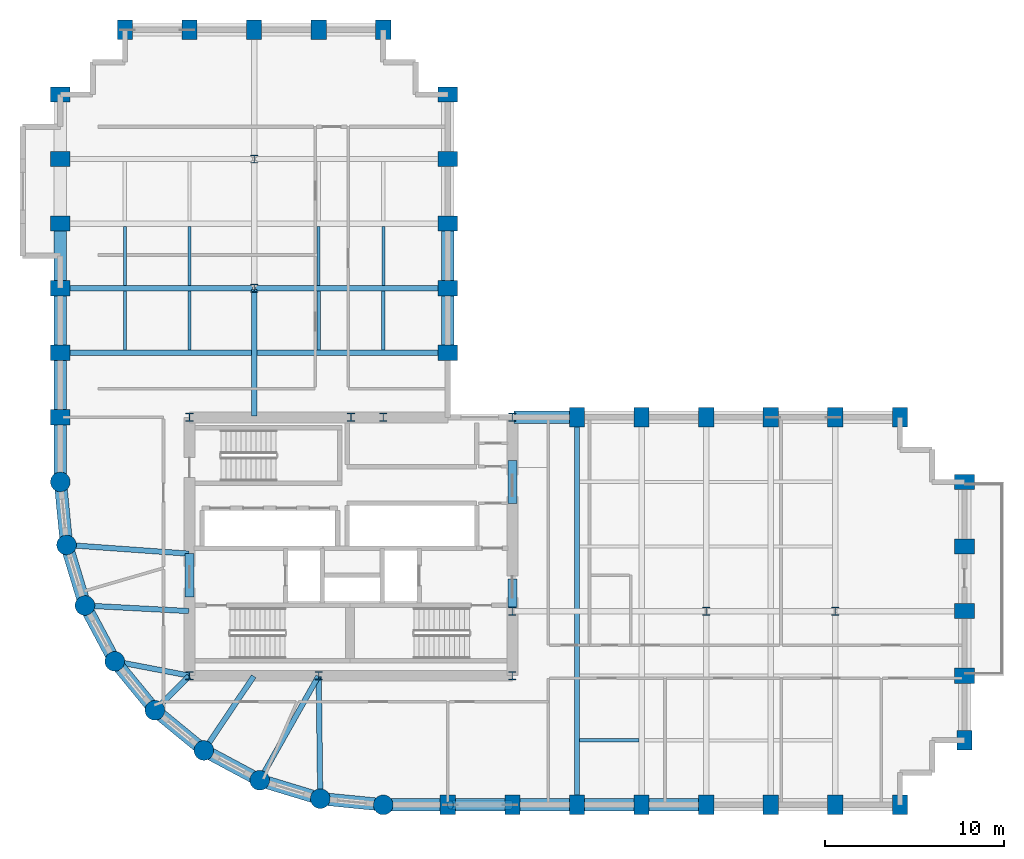
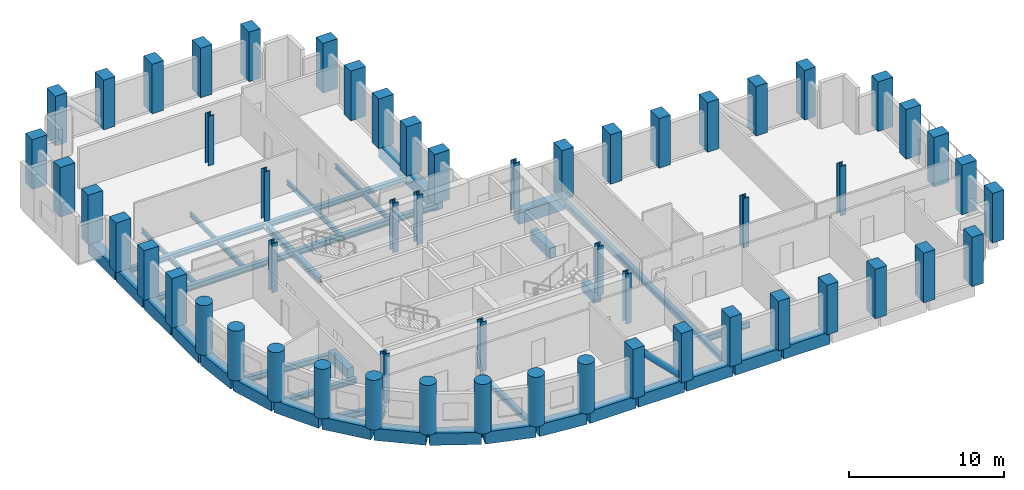
# One storey, part 1 of 8: 56 columns, 44 beams, 1 member.
"""IFC4 building model written with IfcOpenShell, lengths in metres."""

from ifc_helpers import new_model, si_unit, direction, frame, origin, origin_2d, place, context, subcontext, project, spatial, rectangle, circle, hollow_circle, i_section, extrude, material, material_profile, profile_set, type_object, element, save


model = new_model("IFC4")

# Units and contexts
model_context = context("Model", 3, precision=1e-05, world=origin(), true_north=direction((0.0, 1.0)))
body_context = subcontext(model_context, "Body", "Model", "MODEL_VIEW")
ifc_project = project(units=[si_unit("LENGTHUNIT", "METRE"), si_unit("AREAUNIT", "SQUARE_METRE"), si_unit("VOLUMEUNIT", "CUBIC_METRE"), si_unit("PLANEANGLEUNIT", "RADIAN"), si_unit("MASSUNIT", "GRAM", prefix="KILO")], contexts=[model_context])

# Site, building, storey
site_placement = place(None, origin())
site = spatial("IfcSite", under=ifc_project, at=site_placement, CompositionType="ELEMENT")
building_placement = place(site_placement, origin())
building = spatial("IfcBuilding", under=site, at=building_placement, Name="Solnavia Interchange Tower", CompositionType="ELEMENT")
storey_placement = place(building_placement, frame((0.0, 0.0, 84.0)))
storey = spatial("IfcBuildingStorey", under=building, at=storey_placement, Name="L20", CompositionType="ELEMENT", Elevation=84.0)

# Columns
ifc_material_1 = material(Name="Concrete C50/60", Category="concrete")
ifc_material_profile_1 = material_profile(ifc_material_1, rectangle(XDim=0.85009765625, YDim=1.10009765625, at=origin_2d()), Name="RC 1100x850")
ifc_profile_set_1 = profile_set([ifc_material_profile_1], Name="Concrete C50/60")
column_type_1 = type_object("IfcColumnType", Name="Col-RC-1100x850", PredefinedType="COLUMN", material=ifc_profile_set_1)
for number, where, z_axis, x_axis, name in (
    (1, (7.199951171875, 25.199951171875, 0.0), (0.0, 0.0, 1.0), (0.0, 1.0, 0.0), "COL-L20-02 Tower perim y column"),
    (2, (7.199951171875, 28.800048828125, 0.0), (0.0, 0.0, 1.0), (0.0, 1.0, 0.0), "COL-L20-03 Tower perim y column"),
    (3, (7.199951171875, 32.39990234375, 0.0), (0.0, 0.0, 1.0), (0.0, 1.0, 0.0), "COL-L20-04 Tower perim y column"),
    (4, (7.199951171875, 36.0, 0.0), (0.0, 0.0, 1.0), (0.0, 1.0, 0.0), "COL-L20-05 Tower perim y column"),
    (5, (7.199951171875, 39.60009765625, 0.0), (0.0, 0.0, 1.0), (0.0, 1.0, 0.0), "COL-L20-06 Tower perim y column"),
    (6, (7.199951171875, 43.199951171875, 0.0), (0.0, 0.0, 1.0), (0.0, 1.0, 0.0), "COL-L20-07 Tower corner column"),
    (7, (10.800048828125, 46.800048828125, 0.0), (0.0, 0.0, 1.0), (1.0, 0.0, 0.0), "COL-L20-11 Tower corner column"),
    (8, (14.39990234375, 46.800048828125, 0.0), (0.0, 0.0, 1.0), (1.0, 0.0, 0.0), "COL-L20-15 Tower perim x column"),
    (9, (18.0, 46.800048828125, 0.0), (0.0, 0.0, 1.0), (1.0, 0.0, 0.0), "COL-L20-19 Tower perim x column"),
    (10, (21.60009765625, 46.800048828125, 0.0), (0.0, 0.0, 1.0), (1.0, 0.0, 0.0), "COL-L20-22 Tower perim x column"),
    (11, (25.199951171875, 46.800048828125, 0.0), (0.0, 0.0, 1.0), (1.0, 0.0, 0.0), "COL-L20-27 Tower corner column"),
    (12, (28.800048828125, 3.60009765625, 0.0), (0.0, 0.0, 1.0), (1.0, 0.0, 0.0), "COL-L20-28 Tower perim x column"),
    (13, (28.800048828125, 28.800048828125, 0.0), (0.0, 0.0, 1.0), (0.0, 1.0, 0.0), "COL-L20-29 Tower perim y column"),
    (14, (28.800048828125, 32.39990234375, 0.0), (0.0, 0.0, 1.0), (0.0, 1.0, 0.0), "COL-L20-30 Tower perim y column"),
    (15, (28.800048828125, 36.0, 0.0), (0.0, 0.0, 1.0), (0.0, 1.0, 0.0), "COL-L20-31 Tower perim y column"),
    (16, (28.800048828125, 39.60009765625, 0.0), (0.0, 0.0, 1.0), (0.0, 1.0, 0.0), "COL-L20-32 Tower perim y column"),
    (17, (28.800048828125, 43.199951171875, 0.0), (0.0, 0.0, 1.0), (0.0, 1.0, 0.0), "COL-L20-33 Tower corner column"),
    (18, (32.39990234375, 3.60009765625, 0.0), (0.0, 0.0, 1.0), (1.0, 0.0, 0.0), "COL-L20-34 Tower perim x column"),
    (19, (36.0, 3.60009765625, 0.0), (0.0, 0.0, 1.0), (1.0, 0.0, 0.0), "COL-L20-38 Tower perim x column"),
    (20, (36.0, 25.199951171875, 0.0), (0.0, 0.0, 1.0), (1.0, 0.0, 0.0), "COL-L20-39 Tower perim x column"),
    (21, (39.60009765625, 3.60009765625, 0.0), (0.0, 0.0, 1.0), (1.0, 0.0, 0.0), "COL-L20-40 Tower perim x column"),
    (22, (39.60009765625, 25.199951171875, 0.0), (0.0, 0.0, 1.0), (1.0, 0.0, 0.0), "COL-L20-41 Tower perim x column"),
    (23, (43.199951171875, 3.60009765625, 0.0), (0.0, 0.0, 1.0), (1.0, 0.0, 0.0), "COL-L20-42 Tower perim x column"),
    (24, (43.199951171875, 25.199951171875, 0.0), (0.0, 0.0, 1.0), (1.0, 0.0, 0.0), "COL-L20-44 Tower perim x column"),
    (25, (46.800048828125, 3.60009765625, 0.0), (0.0, 0.0, 1.0), (1.0, 0.0, 0.0), "COL-L20-45 Tower perim x column"),
    (26, (46.800048828125, 25.199951171875, 0.0), (0.0, 0.0, 1.0), (1.0, 0.0, 0.0), "COL-L20-46 Tower perim x column"),
    (27, (50.39990234375, 3.60009765625, 0.0), (0.0, 0.0, 1.0), (1.0, 0.0, 0.0), "COL-L20-47 Tower perim x column"),
    (28, (50.39990234375, 25.199951171875, 0.0), (0.0, 0.0, 1.0), (1.0, 0.0, 0.0), "COL-L20-49 Tower perim x column"),
    (29, (54.0, 3.60009765625, 0.0), (0.0, 0.0, 1.0), (1.0, 0.0, 0.0), "COL-L20-50 Tower corner column"),
    (30, (54.0, 25.199951171875, 0.0), (0.0, 0.0, 1.0), (1.0, 0.0, 0.0), "COL-L20-51 Tower corner column"),
    (31, (57.60009765625, 7.199951171875, 0.0), (0.0, 0.0, 1.0), (1.0, 0.0, 0.0), "COL-L20-52 Tower corner column"),
    (32, (57.60009765625, 10.800048828125, 0.0), (0.0, 0.0, 1.0), (0.0, 1.0, 0.0), "COL-L20-53 Tower perim y column"),
    (33, (57.60009765625, 14.39990234375, 0.0), (0.0, 0.0, 1.0), (0.0, 1.0, 0.0), "COL-L20-54 Tower perim y column"),
    (34, (57.60009765625, 18.0, 0.0), (0.0, 0.0, 1.0), (0.0, 1.0, 0.0), "COL-L20-55 Tower perim y column"),
    (35, (57.60009765625, 21.60009765625, 0.0), (0.0, 0.0, 1.0), (0.0, 1.0, 0.0), "COL-L20-56 Tower corner column"),
):
    element("IfcColumn", number, at=place(storey_placement, frame(where, z_axis=z_axis, x_axis=x_axis)), inside=storey, type_object=column_type_1, Name=name, PredefinedType="COLUMN", context=body_context, shape_type="SweptSolid", body=[
        extrude(rectangle(XDim=0.85009765625, YDim=1.10009765625, at=origin_2d()), origin(), (0.0, 0.0, 1.0), 3.89990234375),
    ])
ifc_material_2 = material(Name="Concrete C60/75", Category="concrete")
ifc_material_profile_2 = material_profile(ifc_material_2, circle(Radius=0.550048828125, at=origin_2d()), Name="RC D1100")
ifc_profile_set_2 = profile_set([ifc_material_profile_2], Name="Concrete C60/75")
column_type_2 = type_object("IfcColumnType", Name="Col-RC-D1100", PredefinedType="COLUMN", material=ifc_profile_set_2)
for number, where, z_axis, x_axis, name in (
    (36, (7.199951171875, 21.60009765625, 0.0), (0.0, 0.0, 1.0), (1.0, 0.0, 0.0), "COL-L20-01 Tower drum column"),
    (37, (7.5458984375, 18.087890625, 0.0), (0.0, 0.0, 1.0), (1.0, 0.0, 0.0), "COL-L20-08 Tower drum column"),
    (38, (8.570068359375, 14.7119140625, 0.0), (0.0, 0.0, 1.0), (1.0, 0.0, 0.0), "COL-L20-09 Tower drum column"),
    (39, (10.23388671875, 11.60009765625, 0.0), (0.0, 0.0, 1.0), (1.0, 0.0, 0.0), "COL-L20-10 Tower drum column"),
    (40, (12.471923828125, 8.8720703125, 0.0), (0.0, 0.0, 1.0), (1.0, 0.0, 0.0), "COL-L20-12 Tower drum column"),
    (41, (15.199951171875, 6.634033203125, 0.0), (0.0, 0.0, 1.0), (1.0, 0.0, 0.0), "COL-L20-16 Tower drum column"),
    (42, (18.31201171875, 4.969970703125, 0.0), (0.0, 0.0, 1.0), (1.0, 0.0, 0.0), "COL-L20-20 Tower drum column"),
    (43, (21.68798828125, 3.946044921875, 0.0), (0.0, 0.0, 1.0), (1.0, 0.0, 0.0), "COL-L20-23 Tower drum column"),
    (44, (25.199951171875, 3.60009765625, 0.0), (0.0, 0.0, 1.0), (1.0, 0.0, 0.0), "COL-L20-25 Tower drum column"),
):
    element("IfcColumn", number, at=place(storey_placement, frame(where, z_axis=z_axis, x_axis=x_axis)), inside=storey, type_object=column_type_2, Name=name, PredefinedType="COLUMN", context=body_context, shape_type="SweptSolid", body=[
        extrude(circle(Radius=0.550048828125, at=origin_2d()), origin(), (0.0, 0.0, 1.0), 3.89990234375),
    ])
ifc_material_3 = material(Name="Steel S355", Category="steel")
ifc_material_profile_3 = material_profile(ifc_material_3, i_section(OverallWidth=0.424072265625, OverallDepth=0.467041015625, WebThickness=0.032958984375, FlangeThickness=0.053466796875, FilletRadius=0.014892578125, at=origin_2d()), Name="HD 400x509")
ifc_profile_set_3 = profile_set([ifc_material_profile_3], Name="Steel S355")
column_type_3 = type_object("IfcColumnType", Name="Col-Steel-HD400x509", PredefinedType="COLUMN", material=ifc_profile_set_3)
for number, where, z_axis, x_axis, name in (
    (45, (14.39990234375, 10.800048828125, 0.0), (0.0, 0.0, 1.0), (1.0, 0.0, 0.0), "COL-L20-13 Tower interior column"),
    (46, (14.39990234375, 25.199951171875, 0.0), (0.0, 0.0, 1.0), (1.0, 0.0, 0.0), "COL-L20-14 Tower interior column"),
    (47, (18.0, 32.39990234375, 0.0), (0.0, 0.0, 1.0), (1.0, 0.0, 0.0), "COL-L20-17 Tower interior column"),
    (48, (18.0, 39.60009765625, 0.0), (0.0, 0.0, 1.0), (1.0, 0.0, 0.0), "COL-L20-18 Tower interior column"),
    (49, (21.60009765625, 10.800048828125, 0.0), (0.0, 0.0, 1.0), (1.0, 0.0, 0.0), "COL-L20-21 Tower interior column"),
    (50, (23.39990234375, 25.199951171875, 0.0), (0.0, 0.0, 1.0), (1.0, 0.0, 0.0), "COL-L20-24 Tower interior column"),
    (51, (25.199951171875, 25.199951171875, 0.0), (0.0, 0.0, 1.0), (1.0, 0.0, 0.0), "COL-L20-26 Tower interior column"),
    (52, (32.39990234375, 10.800048828125, 0.0), (0.0, 0.0, 1.0), (1.0, 0.0, 0.0), "COL-L20-35 Tower interior column"),
    (53, (32.39990234375, 14.39990234375, 0.0), (0.0, 0.0, 1.0), (1.0, 0.0, 0.0), "COL-L20-36 Tower interior column"),
    (54, (32.39990234375, 25.199951171875, 0.0), (0.0, 0.0, 1.0), (1.0, 0.0, 0.0), "COL-L20-37 Tower interior column"),
    (55, (43.199951171875, 14.39990234375, 0.0), (0.0, 0.0, 1.0), (1.0, 0.0, 0.0), "COL-L20-43 Tower interior column"),
    (56, (50.39990234375, 14.39990234375, 0.0), (0.0, 0.0, 1.0), (1.0, 0.0, 0.0), "COL-L20-48 Tower interior column"),
):
    element("IfcColumn", number, at=place(storey_placement, frame(where, z_axis=z_axis, x_axis=x_axis)), inside=storey, type_object=column_type_3, Name=name, PredefinedType="COLUMN", context=body_context, shape_type="SweptSolid", body=[
        extrude(i_section(OverallWidth=0.424072265625, OverallDepth=0.467041015625, WebThickness=0.032958984375, FlangeThickness=0.053466796875, FilletRadius=0.014892578125, at=origin_2d()), origin(), (0.0, 0.0, 1.0), 3.89990234375),
    ])

# Beams
ifc_material_profile_4 = material_profile(ifc_material_1, rectangle(XDim=0.5, YDim=0.800048828125, at=origin_2d()), Name="RC 500x800")
ifc_profile_set_4 = profile_set([ifc_material_profile_4], Name="Concrete C50/60")
beam_type_1 = type_object("IfcBeamType", Name="Beam-Coupling-RC500x800", PredefinedType="LINTEL", material=ifc_profile_set_4)
beam_1_placement = place(storey_placement, frame((14.39990234375, 15.199951171875, -0.39990234375), z_axis=(0.0, 1.0, 0.0), x_axis=(-1.0, 0.0, 0.0)))
element("IfcBeam", 57, at=beam_1_placement, inside=storey, type_object=beam_type_1, Name="CPB-L20-W1 Core coupling lintel beam", PredefinedType="LINTEL", context=body_context, shape_type="SweptSolid", body=[
    extrude(rectangle(XDim=0.5, YDim=0.800048828125, at=origin_2d()), origin(), (0.0, 0.0, 1.0), 2.400146484375),
])
beam_2_placement = place(storey_placement, frame((32.39990234375, 14.60009765625, -0.39990234375), z_axis=(0.0, 1.0, 0.0), x_axis=(-1.0, 0.0, 0.0)))
element("IfcBeam", 58, at=beam_2_placement, inside=storey, type_object=beam_type_1, Name="CPB-L20-E1 Core coupling lintel beam", PredefinedType="LINTEL", context=body_context, shape_type="SweptSolid", body=[
    extrude(rectangle(XDim=0.5, YDim=0.800048828125, at=origin_2d()), origin(), (0.0, 0.0, 1.0), 1.599853515625),
])
beam_3_placement = place(storey_placement, frame((32.39990234375, 20.39990234375, -0.39990234375), z_axis=(0.0, 1.0, 0.0), x_axis=(-1.0, 0.0, 0.0)))
element("IfcBeam", 59, at=beam_3_placement, inside=storey, type_object=beam_type_1, Name="CPB-L20-E2 Core coupling lintel beam", PredefinedType="LINTEL", context=body_context, shape_type="SweptSolid", body=[
    extrude(rectangle(XDim=0.5, YDim=0.800048828125, at=origin_2d()), origin(), (0.0, 0.0, 1.0), 2.400146484375),
])
ifc_material_4 = material(Name="Steel S460", Category="steel")
ifc_material_profile_5 = material_profile(ifc_material_4, i_section(OverallWidth=0.300048828125, OverallDepth=0.449951171875, WebThickness=0.013916015625, FlangeThickness=0.02587890625, FilletRadius=0.027099609375, at=origin_2d()), Name="HEB 450")
ifc_profile_set_5 = profile_set([ifc_material_profile_5], Name="Steel S460")
beam_type_2 = type_object("IfcBeamType", Name="Beam-Girder-HEB450", PredefinedType="BEAM", material=ifc_profile_set_5)
beam_4_placement = place(storey_placement, frame((36.0, 3.679931640625, -0.47509765625), z_axis=(0.0, 1.0, 0.0), x_axis=(-1.0, 0.0, 0.0)))
element("IfcBeam", 60, at=beam_4_placement, inside=storey, type_object=beam_type_2, Name="GRD-L20-EW04 East wing primary floor girder", PredefinedType="BEAM", context=body_context, shape_type="SweptSolid", body=[
    extrude(i_section(OverallWidth=0.300048828125, OverallDepth=0.449951171875, WebThickness=0.013916015625, FlangeThickness=0.02587890625, FilletRadius=0.027099609375, at=origin_2d()), origin(), (0.0, 0.0, 1.0), 21.440185546875),
])
beam_5_placement = place(storey_placement, frame((18.0, 25.280029296875, -0.47509765625), z_axis=(0.0, 1.0, 0.0), x_axis=(-1.0, 0.0, 0.0)))
element("IfcBeam", 61, at=beam_5_placement, inside=storey, type_object=beam_type_2, Name="GRD-L20-NS11 North wing spine girder", PredefinedType="BEAM", context=body_context, shape_type="SweptSolid", body=[
    extrude(i_section(OverallWidth=0.300048828125, OverallDepth=0.449951171875, WebThickness=0.013916015625, FlangeThickness=0.02587890625, FilletRadius=0.027099609375, at=origin_2d()), origin(), (0.0, 0.0, 1.0), 7.0400390625),
])
beam_6_placement = place(storey_placement, frame((10.3125, 11.5849609375, -0.47509765625), z_axis=(0.982057527796, -0.188581579428, 0.0), x_axis=(0.188581579428, 0.982057527796, 0.0)))
element("IfcBeam", 62, at=beam_6_placement, inside=storey, type_object=beam_type_2, Name="GRD-L20-DR22 Drum radial floor girder", PredefinedType="BEAM", context=body_context, shape_type="SweptSolid", body=[
    extrude(i_section(OverallWidth=0.300048828125, OverallDepth=0.449951171875, WebThickness=0.013916015625, FlangeThickness=0.02587890625, FilletRadius=0.027099609375, at=origin_2d()), origin(), (0.0, 0.0, 1.0), 4.1220703125),
])
beam_7_placement = place(storey_placement, frame((18.351318359375, 5.039794921875, -0.47509765625), z_axis=(0.491243158486, 0.871022479182, 0.0), x_axis=(-0.871022479182, 0.491243158486, 0.0)))
element("IfcBeam", 63, at=beam_7_placement, inside=storey, type_object=beam_type_2, Name="GRD-L20-DR25 Drum radial floor girder", PredefinedType="BEAM", context=body_context, shape_type="SweptSolid", body=[
    extrude(i_section(OverallWidth=0.300048828125, OverallDepth=0.449951171875, WebThickness=0.013916015625, FlangeThickness=0.02587890625, FilletRadius=0.027099609375, at=origin_2d()), origin(), (0.0, 0.0, 1.0), 6.5732421875),
])
ifc_material_profile_6 = material_profile(ifc_material_3, i_section(OverallWidth=0.169921875, OverallDepth=0.360107421875, WebThickness=0.008056640625, FlangeThickness=0.0126953125, FilletRadius=0.01806640625, at=origin_2d()), Name="IPE 360")
ifc_profile_set_6 = profile_set([ifc_material_profile_6], Name="Steel S355")
beam_type_3 = type_object("IfcBeamType", Name="Beam-Joist-IPE360", PredefinedType="JOIST", material=ifc_profile_set_6)
for number, where, z_axis, x_axis, name in (
    (64, (10.800048828125, 32.550048828125, -0.429931640625), (0.0, 1.0, 0.0), (-1.0, 0.0, 0.0), "JST-L20-N18 North wing secondary joist"),
    (65, (14.39990234375, 32.550048828125, -0.429931640625), (0.0, 1.0, 0.0), (-1.0, 0.0, 0.0), "JST-L20-N21 North wing secondary joist"),
    (66, (21.60009765625, 32.550048828125, -0.429931640625), (0.0, 1.0, 0.0), (-1.0, 0.0, 0.0), "JST-L20-N24 North wing secondary joist"),
    (67, (25.199951171875, 32.550048828125, -0.429931640625), (0.0, 1.0, 0.0), (-1.0, 0.0, 0.0), "JST-L20-N27 North wing secondary joist"),
):
    element("IfcBeam", number, at=place(storey_placement, frame(where, z_axis=z_axis, x_axis=x_axis)), inside=storey, type_object=beam_type_3, Name=name, PredefinedType="JOIST", context=body_context, shape_type="SweptSolid", body=[
        extrude(i_section(OverallWidth=0.169921875, OverallDepth=0.360107421875, WebThickness=0.008056640625, FlangeThickness=0.0126953125, FilletRadius=0.01806640625, at=origin_2d()), origin(), (0.0, 0.0, 1.0), 3.300048828125),
    ])
ifc_material_profile_7 = material_profile(ifc_material_3, i_section(OverallWidth=0.179931640625, OverallDepth=0.39990234375, WebThickness=0.008544921875, FlangeThickness=0.013427734375, FilletRadius=0.02099609375, at=origin_2d()), Name="IPE 400")
ifc_profile_set_7 = profile_set([ifc_material_profile_7], Name="Steel S355")
beam_type_4 = type_object("IfcBeamType", Name="Beam-Joist-IPE400", PredefinedType="JOIST", material=ifc_profile_set_7)
for number, where, z_axis, x_axis, name in (
    (68, (10.800048828125, 28.949951171875, -0.449951171875), (0.0, 1.0, 0.0), (-1.0, 0.0, 0.0), "JST-L20-N17 North wing secondary joist"),
    (69, (14.39990234375, 28.949951171875, -0.449951171875), (0.0, 1.0, 0.0), (-1.0, 0.0, 0.0), "JST-L20-N20 North wing secondary joist"),
    (70, (21.60009765625, 28.949951171875, -0.449951171875), (0.0, 1.0, 0.0), (-1.0, 0.0, 0.0), "JST-L20-N23 North wing secondary joist"),
    (71, (25.199951171875, 28.949951171875, -0.449951171875), (0.0, 1.0, 0.0), (-1.0, 0.0, 0.0), "JST-L20-N26 North wing secondary joist"),
):
    element("IfcBeam", number, at=place(storey_placement, frame(where, z_axis=z_axis, x_axis=x_axis)), inside=storey, type_object=beam_type_4, Name=name, PredefinedType="JOIST", context=body_context, shape_type="SweptSolid", body=[
        extrude(i_section(OverallWidth=0.179931640625, OverallDepth=0.39990234375, WebThickness=0.008544921875, FlangeThickness=0.013427734375, FilletRadius=0.02099609375, at=origin_2d()), origin(), (0.0, 0.0, 1.0), 3.300048828125),
    ])
ifc_material_profile_8 = material_profile(ifc_material_3, i_section(OverallWidth=0.18994140625, OverallDepth=0.449951171875, WebThickness=0.009521484375, FlangeThickness=0.0146484375, FilletRadius=0.02099609375, at=origin_2d()), Name="IPE 450")
ifc_profile_set_8 = profile_set([ifc_material_profile_8], Name="Steel S355")
beam_type_5 = type_object("IfcBeamType", Name="Beam-Joist-IPE450", PredefinedType="JOIST", material=ifc_profile_set_8)
beam_8_placement = place(storey_placement, frame((36.14990234375, 7.199951171875, -0.47509765625), z_axis=(1.0, 0.0, 0.0), x_axis=(0.0, 1.0, 0.0)))
element("IfcBeam", 72, at=beam_8_placement, inside=storey, type_object=beam_type_5, Name="JST-L20-E01 East wing secondary joist", PredefinedType="JOIST", context=body_context, shape_type="SweptSolid", body=[
    extrude(i_section(OverallWidth=0.18994140625, OverallDepth=0.449951171875, WebThickness=0.009521484375, FlangeThickness=0.0146484375, FilletRadius=0.02099609375, at=origin_2d()), origin(), (0.0, 0.0, 1.0), 3.300048828125),
])
ifc_material_profile_9 = material_profile(ifc_material_3, i_section(OverallWidth=0.300048828125, OverallDepth=0.389892578125, WebThickness=0.010986328125, FlangeThickness=0.01904296875, FilletRadius=0.027099609375, at=origin_2d()), Name="HEA 400")
ifc_profile_set_9 = profile_set([ifc_material_profile_9], Name="Steel S355")
beam_type_6 = type_object("IfcBeamType", Name="Beam-Primary-HEA400", PredefinedType="BEAM", material=ifc_profile_set_9)
for number, where, z_axis, x_axis, name in (
    (73, (7.280029296875, 32.39990234375, -0.445068359375), (1.0, 0.0, 0.0), (0.0, 1.0, 0.0), "GRD-L20-NW15 North wing primary floor girder"),
    (74, (18.080078125, 32.39990234375, -0.445068359375), (1.0, 0.0, 0.0), (0.0, 1.0, 0.0), "GRD-L20-NW16 North wing primary floor girder"),
):
    element("IfcBeam", number, at=place(storey_placement, frame(where, z_axis=z_axis, x_axis=x_axis)), inside=storey, type_object=beam_type_6, Name=name, PredefinedType="BEAM", context=body_context, shape_type="SweptSolid", body=[
        extrude(i_section(OverallWidth=0.300048828125, OverallDepth=0.389892578125, WebThickness=0.010986328125, FlangeThickness=0.01904296875, FilletRadius=0.027099609375, at=origin_2d()), origin(), (0.0, 0.0, 1.0), 10.639892578125),
    ])
beam_9_placement = place(storey_placement, frame((8.64990234375, 14.707763671875, -0.445068359375), z_axis=(0.998570371303, -0.053452909696, 0.0), x_axis=(0.053452909696, 0.998570371303, 0.0)))
element("IfcBeam", 75, at=beam_9_placement, inside=storey, type_object=beam_type_6, Name="GRD-L20-DR21 Drum radial floor girder", PredefinedType="BEAM", context=body_context, shape_type="SweptSolid", body=[
    extrude(i_section(OverallWidth=0.300048828125, OverallDepth=0.389892578125, WebThickness=0.010986328125, FlangeThickness=0.01904296875, FilletRadius=0.027099609375, at=origin_2d()), origin(), (0.0, 0.0, 1.0), 5.71826171875),
])
beam_10_placement = place(storey_placement, frame((15.24462890625, 6.700439453125, -0.445068359375), z_axis=(0.557835474219, 0.829951555033, 0.0), x_axis=(-0.829951555033, 0.557835474219, 0.0)))
element("IfcBeam", 76, at=beam_10_placement, inside=storey, type_object=beam_type_6, Name="GRD-L20-DR24 Drum radial floor girder", PredefinedType="BEAM", context=body_context, shape_type="SweptSolid", body=[
    extrude(i_section(OverallWidth=0.300048828125, OverallDepth=0.389892578125, WebThickness=0.010986328125, FlangeThickness=0.01904296875, FilletRadius=0.027099609375, at=origin_2d()), origin(), (0.0, 0.0, 1.0), 4.899658203125),
])
ifc_material_profile_10 = material_profile(ifc_material_3, i_section(OverallWidth=0.300048828125, OverallDepth=0.43994140625, WebThickness=0.011474609375, FlangeThickness=0.02099609375, FilletRadius=0.027099609375, at=origin_2d()), Name="HEA 450")
ifc_profile_set_10 = profile_set([ifc_material_profile_10], Name="Steel S355")
beam_type_7 = type_object("IfcBeamType", Name="Beam-Primary-HEA450", PredefinedType="BEAM", material=ifc_profile_set_10)
beam_11_placement = place(storey_placement, frame((7.280029296875, 28.800048828125, -0.469970703125), z_axis=(1.0, 0.0, 0.0), x_axis=(0.0, 1.0, 0.0)))
element("IfcBeam", 77, at=beam_11_placement, inside=storey, type_object=beam_type_7, Name="GRD-L20-NW14 North wing primary floor girder", PredefinedType="BEAM", context=body_context, shape_type="SweptSolid", body=[
    extrude(i_section(OverallWidth=0.300048828125, OverallDepth=0.43994140625, WebThickness=0.011474609375, FlangeThickness=0.02099609375, FilletRadius=0.027099609375, at=origin_2d()), origin(), (0.0, 0.0, 1.0), 21.43994140625),
])
beam_12_placement = place(storey_placement, frame((7.625732421875, 18.082275390625, -0.469970703125), z_axis=(0.99747482749, -0.071020902015, 0.0), x_axis=(0.071020902015, 0.99747482749, 0.0)))
element("IfcBeam", 78, at=beam_12_placement, inside=storey, type_object=beam_type_7, Name="GRD-L20-DR20 Drum radial floor girder", PredefinedType="BEAM", context=body_context, shape_type="SweptSolid", body=[
    extrude(i_section(OverallWidth=0.300048828125, OverallDepth=0.43994140625, WebThickness=0.011474609375, FlangeThickness=0.02099609375, FilletRadius=0.027099609375, at=origin_2d()), origin(), (0.0, 0.0, 1.0), 6.75146484375),
])
beam_13_placement = place(storey_placement, frame((12.528564453125, 8.9287109375, -0.469970703125), z_axis=(0.707106781187, 0.707106781187, 0.0), x_axis=(-0.707106781187, 0.707106781187, 0.0)))
element("IfcBeam", 79, at=beam_13_placement, inside=storey, type_object=beam_type_7, Name="GRD-L20-DR23 Drum radial floor girder", PredefinedType="BEAM", context=body_context, shape_type="SweptSolid", body=[
    extrude(i_section(OverallWidth=0.300048828125, OverallDepth=0.43994140625, WebThickness=0.011474609375, FlangeThickness=0.02099609375, FilletRadius=0.027099609375, at=origin_2d()), origin(), (0.0, 0.0, 1.0), 2.6064453125),
])
beam_14_placement = place(storey_placement, frame((21.68701171875, 4.02587890625, -0.469970703125), z_axis=(-0.01283293513, 0.999917654498, 0.0), x_axis=(-0.999917654498, -0.01283293513, 0.0)))
element("IfcBeam", 80, at=beam_14_placement, inside=storey, type_object=beam_type_7, Name="GRD-L20-DR26 Drum radial floor girder", PredefinedType="BEAM", context=body_context, shape_type="SweptSolid", body=[
    extrude(i_section(OverallWidth=0.300048828125, OverallDepth=0.43994140625, WebThickness=0.011474609375, FlangeThickness=0.02099609375, FilletRadius=0.027099609375, at=origin_2d()), origin(), (0.0, 0.0, 1.0), 6.734619140625),
])
ifc_material_profile_11 = material_profile(ifc_material_1, rectangle(XDim=0.699951171875, YDim=0.949951171875, at=origin_2d()), Name="RC 700x950")
ifc_profile_set_11 = profile_set([ifc_material_profile_11], Name="Concrete C50/60")
beam_type_8 = type_object("IfcBeamType", Name="Beam-Spandrel-RC700x950", PredefinedType="SPANDREL", material=ifc_profile_set_11)
beam_15_placement = place(storey_placement, frame((7.207763671875, 21.5205078125, -0.47509765625), z_axis=(0.098040038117, -0.995182471171, 0.0), x_axis=(0.995182471171, 0.098040038117, 0.0)))
element("IfcBeam", 81, at=beam_15_placement, inside=storey, type_object=beam_type_8, Name="SPB-L20-01 Framed-tube perimeter spandrel beam", PredefinedType="SPANDREL", context=body_context, shape_type="SweptSolid", body=[
    extrude(rectangle(XDim=0.699951171875, YDim=0.949951171875, at=origin_2d()), origin(), (0.0, 0.0, 1.0), 3.369140625),
])
beam_16_placement = place(storey_placement, frame((7.569091796875, 18.011474609375, -0.47509765625), z_axis=(0.290319223646, -0.956929855518, 0.0), x_axis=(0.956929855518, 0.290319223646, 0.0)))
element("IfcBeam", 82, at=beam_16_placement, inside=storey, type_object=beam_type_8, Name="SPB-L20-02 Framed-tube perimeter spandrel beam", PredefinedType="SPANDREL", context=body_context, shape_type="SweptSolid", body=[
    extrude(rectangle(XDim=0.699951171875, YDim=0.949951171875, at=origin_2d()), origin(), (0.0, 0.0, 1.0), 3.367919921875),
])
beam_17_placement = place(storey_placement, frame((8.607666015625, 14.6416015625, -0.47509765625), z_axis=(0.471509422952, -0.881861023102, 0.0), x_axis=(0.881861023102, 0.471509422952, 0.0)))
element("IfcBeam", 83, at=beam_17_placement, inside=storey, type_object=beam_type_8, Name="SPB-L20-03 Framed-tube perimeter spandrel beam", PredefinedType="SPANDREL", context=body_context, shape_type="SweptSolid", body=[
    extrude(rectangle(XDim=0.699951171875, YDim=0.949951171875, at=origin_2d()), origin(), (0.0, 0.0, 1.0), 3.369140625),
])
for number, where, z_axis, x_axis, name in (
    (84, (10.28466796875, 11.5380859375, -0.47509765625), (0.634298841675, -0.773087950656, 0.0), (0.773087950656, 0.634298841675, 0.0), "SPB-L20-04 Framed-tube perimeter spandrel beam"),
    (85, (12.53369140625, 8.8212890625, -0.47509765625), (0.773152644452, -0.634219984214, 0.0), (0.634219984214, 0.773152644452, 0.0), "SPB-L20-05 Framed-tube perimeter spandrel beam"),
):
    element("IfcBeam", number, at=place(storey_placement, frame(where, z_axis=z_axis, x_axis=x_axis)), inside=storey, type_object=beam_type_8, Name=name, PredefinedType="SPANDREL", context=body_context, shape_type="SweptSolid", body=[
        extrude(rectangle(XDim=0.699951171875, YDim=0.949951171875, at=origin_2d()), origin(), (0.0, 0.0, 1.0), 3.36865234375),
    ])
beam_18_placement = place(storey_placement, frame((15.2705078125, 6.59619140625, -0.47509765625), z_axis=(0.881875044348, -0.47148319817, 0.0), x_axis=(0.47148319817, 0.881875044348, 0.0)))
element("IfcBeam", 86, at=beam_18_placement, inside=storey, type_object=beam_type_8, Name="SPB-L20-06 Framed-tube perimeter spandrel beam", PredefinedType="SPANDREL", context=body_context, shape_type="SweptSolid", body=[
    extrude(rectangle(XDim=0.699951171875, YDim=0.949951171875, at=origin_2d()), origin(), (0.0, 0.0, 1.0), 3.368896484375),
])
beam_19_placement = place(storey_placement, frame((18.388671875, 4.94677734375, -0.47509765625), z_axis=(0.956943884494, -0.290272978297, 0.0), x_axis=(0.290272978297, 0.956943884494, 0.0)))
element("IfcBeam", 87, at=beam_19_placement, inside=storey, type_object=beam_type_8, Name="SPB-L20-07 Framed-tube perimeter spandrel beam", PredefinedType="SPANDREL", context=body_context, shape_type="SweptSolid", body=[
    extrude(rectangle(XDim=0.699951171875, YDim=0.949951171875, at=origin_2d()), origin(), (0.0, 0.0, 1.0), 3.36767578125),
])
beam_20_placement = place(storey_placement, frame((21.767578125, 3.938232421875, -0.47509765625), z_axis=(0.995181774609, -0.098047108501, 0.0), x_axis=(0.098047108501, 0.995181774609, 0.0)))
element("IfcBeam", 88, at=beam_20_placement, inside=storey, type_object=beam_type_8, Name="SPB-L20-08 Framed-tube perimeter spandrel beam", PredefinedType="SPANDREL", context=body_context, shape_type="SweptSolid", body=[
    extrude(rectangle(XDim=0.699951171875, YDim=0.949951171875, at=origin_2d()), origin(), (0.0, 0.0, 1.0), 3.368896484375),
])
beam_21_placement = place(storey_placement, frame((25.280029296875, 3.60009765625, -0.47509765625), z_axis=(1.0, 0.0, 0.0), x_axis=(0.0, 1.0, 0.0)))
element("IfcBeam", 89, at=beam_21_placement, inside=storey, type_object=beam_type_8, Name="SPB-L20-09 Framed-tube perimeter spandrel beam", PredefinedType="SPANDREL", context=body_context, shape_type="SweptSolid", body=[
    extrude(rectangle(XDim=0.699951171875, YDim=0.949951171875, at=origin_2d()), origin(), (0.0, 0.0, 1.0), 3.43994140625),
])
beam_22_placement = place(storey_placement, frame((28.8798828125, 3.60009765625, -0.47509765625), z_axis=(1.0, 0.0, 0.0), x_axis=(0.0, 1.0, 0.0)))
element("IfcBeam", 90, at=beam_22_placement, inside=storey, type_object=beam_type_8, Name="SPB-L20-10 Framed-tube perimeter spandrel beam", PredefinedType="SPANDREL", context=body_context, shape_type="SweptSolid", body=[
    extrude(rectangle(XDim=0.699951171875, YDim=0.949951171875, at=origin_2d()), origin(), (0.0, 0.0, 1.0), 3.440185546875),
])
for number, where, z_axis, x_axis, name in (
    (91, (32.47998046875, 3.60009765625, -0.47509765625), (1.0, 0.0, 0.0), (0.0, 1.0, 0.0), "SPB-L20-11 Framed-tube perimeter spandrel beam"),
    (92, (36.080078125, 3.60009765625, -0.47509765625), (1.0, 0.0, 0.0), (0.0, 1.0, 0.0), "SPB-L20-12 Framed-tube perimeter spandrel beam"),
):
    element("IfcBeam", number, at=place(storey_placement, frame(where, z_axis=z_axis, x_axis=x_axis)), inside=storey, type_object=beam_type_8, Name=name, PredefinedType="SPANDREL", context=body_context, shape_type="SweptSolid", body=[
        extrude(rectangle(XDim=0.699951171875, YDim=0.949951171875, at=origin_2d()), origin(), (0.0, 0.0, 1.0), 3.43994140625),
    ])
beam_23_placement = place(storey_placement, frame((39.679931640625, 3.60009765625, -0.47509765625), z_axis=(1.0, 0.0, 0.0), x_axis=(0.0, 1.0, 0.0)))
element("IfcBeam", 93, at=beam_23_placement, inside=storey, type_object=beam_type_8, Name="SPB-L20-13 Framed-tube perimeter spandrel beam", PredefinedType="SPANDREL", context=body_context, shape_type="SweptSolid", body=[
    extrude(rectangle(XDim=0.699951171875, YDim=0.949951171875, at=origin_2d()), origin(), (0.0, 0.0, 1.0), 3.440185546875),
])
beam_24_placement = place(storey_placement, frame((35.919921875, 25.199951171875, -0.47509765625), z_axis=(-1.0, 0.0, 0.0), x_axis=(0.0, -1.0, 0.0)))
element("IfcBeam", 94, at=beam_24_placement, inside=storey, type_object=beam_type_8, Name="SPB-L20-26 Framed-tube perimeter spandrel beam", PredefinedType="SPANDREL", context=body_context, shape_type="SweptSolid", body=[
    extrude(rectangle(XDim=0.699951171875, YDim=0.949951171875, at=origin_2d()), origin(), (0.0, 0.0, 1.0), 3.43994140625),
])
beam_25_placement = place(storey_placement, frame((28.800048828125, 28.8798828125, -0.47509765625), z_axis=(0.0, 1.0, 0.0), x_axis=(-1.0, 0.0, 0.0)))
element("IfcBeam", 95, at=beam_25_placement, inside=storey, type_object=beam_type_8, Name="SPB-L20-27 Framed-tube perimeter spandrel beam", PredefinedType="SPANDREL", context=body_context, shape_type="SweptSolid", body=[
    extrude(rectangle(XDim=0.699951171875, YDim=0.949951171875, at=origin_2d()), origin(), (0.0, 0.0, 1.0), 3.440185546875),
])
for number, where, z_axis, x_axis, name in (
    (96, (28.800048828125, 32.47998046875, -0.47509765625), (0.0, 1.0, 0.0), (-1.0, 0.0, 0.0), "SPB-L20-28 Framed-tube perimeter spandrel beam"),
    (97, (7.199951171875, 35.919921875, -0.47509765625), (0.0, -1.0, 0.0), (1.0, 0.0, 0.0), "SPB-L20-37 Framed-tube perimeter spandrel beam"),
):
    element("IfcBeam", number, at=place(storey_placement, frame(where, z_axis=z_axis, x_axis=x_axis)), inside=storey, type_object=beam_type_8, Name=name, PredefinedType="SPANDREL", context=body_context, shape_type="SweptSolid", body=[
        extrude(rectangle(XDim=0.699951171875, YDim=0.949951171875, at=origin_2d()), origin(), (0.0, 0.0, 1.0), 3.43994140625),
    ])
beam_26_placement = place(storey_placement, frame((7.199951171875, 32.320068359375, -0.47509765625), z_axis=(0.0, -1.0, 0.0), x_axis=(1.0, 0.0, 0.0)))
element("IfcBeam", 98, at=beam_26_placement, inside=storey, type_object=beam_type_8, Name="SPB-L20-38 Framed-tube perimeter spandrel beam", PredefinedType="SPANDREL", context=body_context, shape_type="SweptSolid", body=[
    extrude(rectangle(XDim=0.699951171875, YDim=0.949951171875, at=origin_2d()), origin(), (0.0, 0.0, 1.0), 3.440185546875),
])
beam_27_placement = place(storey_placement, frame((7.199951171875, 28.719970703125, -0.47509765625), z_axis=(0.0, -1.0, 0.0), x_axis=(1.0, 0.0, 0.0)))
element("IfcBeam", 99, at=beam_27_placement, inside=storey, type_object=beam_type_8, Name="SPB-L20-39 Framed-tube perimeter spandrel beam", PredefinedType="SPANDREL", context=body_context, shape_type="SweptSolid", body=[
    extrude(rectangle(XDim=0.699951171875, YDim=0.949951171875, at=origin_2d()), origin(), (0.0, 0.0, 1.0), 3.43994140625),
])
beam_28_placement = place(storey_placement, frame((7.199951171875, 25.1201171875, -0.47509765625), z_axis=(0.0, -1.0, 0.0), x_axis=(1.0, 0.0, 0.0)))
element("IfcBeam", 100, at=beam_28_placement, inside=storey, type_object=beam_type_8, Name="SPB-L20-40 Framed-tube perimeter spandrel beam", PredefinedType="SPANDREL", context=body_context, shape_type="SweptSolid", body=[
    extrude(rectangle(XDim=0.699951171875, YDim=0.949951171875, at=origin_2d()), origin(), (0.0, 0.0, 1.0), 3.440185546875),
])

# Member
ifc_material_profile_12 = material_profile(ifc_material_4, hollow_circle(Radius=0.25390625, WallThickness=0.02490234375, at=origin_2d()), Name="CHS 508x25")
ifc_profile_set_12 = profile_set([ifc_material_profile_12], Name="Steel S460")
member_type = type_object("IfcMemberType", Name="Brace-Perim-CHS508", PredefinedType="BRACE", material=ifc_profile_set_12)
member_placement = place(storey_placement, frame((32.260009765625, 3.60009765625, 0.179931640625), z_axis=(-0.710311792477, 0.0, 0.703887176661), x_axis=(0.0, -1.0, 0.0)))
element("IfcMember", 101, at=member_placement, inside=storey, type_object=member_type, Name="BRC-L20-01 Perimeter tube diagonal brace", PredefinedType="BRACE", context=body_context, shape_type="SweptSolid", body=[
    extrude(hollow_circle(Radius=0.25390625, WallThickness=0.02490234375, at=origin_2d()), origin(), (0.0, 0.0, 1.0), 4.674072265625),
])

save(model, "model.ifc")
